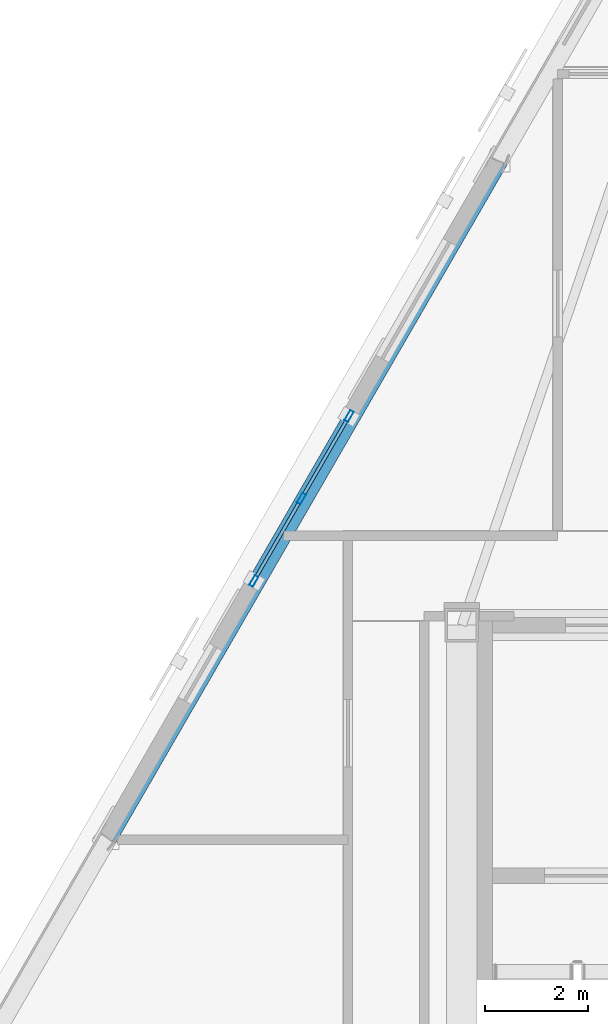
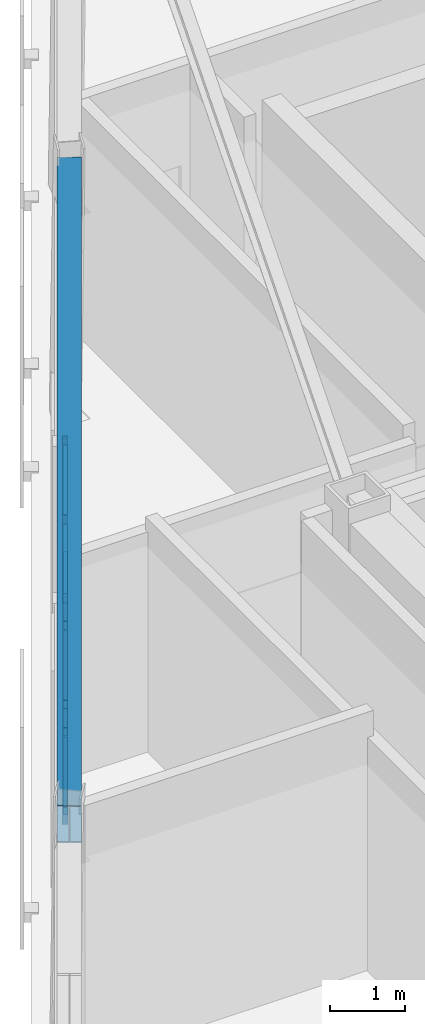
# One storey, part 4 of 14: 9 members, 1 beam, 1 element without a shape of its own.
"""IFC4 building model written with IfcOpenShell, lengths in metres."""

from ifc_helpers import new_model, si_unit, direction, frame, origin, origin_2d, place, context, subcontext, project, spatial, hollow_rectangle, i_section, extrude, material, layer, layer_set, material_profile, profile_set, type_object, element, aggregate, save


model = new_model("IFC4")

# Units and contexts
model_context = context("Model", 3, precision=1e-05, world=origin(), true_north=direction((0.0, 1.0)))
body_context = subcontext(model_context, "Body", "Model", "MODEL_VIEW")
ifc_project = project(units=[si_unit("LENGTHUNIT", "METRE"), si_unit("AREAUNIT", "SQUARE_METRE"), si_unit("VOLUMEUNIT", "CUBIC_METRE"), si_unit("PLANEANGLEUNIT", "RADIAN"), si_unit("MASSUNIT", "GRAM", prefix="KILO")], contexts=[model_context])

# Site, building, storey
site_placement = place(None, origin())
site = spatial("IfcSite", under=ifc_project, at=site_placement, CompositionType="ELEMENT")
building_placement = place(site_placement, origin())
building = spatial("IfcBuilding", under=site, at=building_placement, Name="Oramaril Tower", CompositionType="ELEMENT")
storey_placement = place(building_placement, frame((0.0, 0.0, 309.60009765625)))
storey = spatial("IfcBuildingStorey", under=building, at=storey_placement, Name="L81", CompositionType="ELEMENT", Elevation=309.60009765625)

# Beam
ifc_material_1 = material(Name="Steel ASTM A572 Gr 50", Category="steel")
ifc_material_profile_1 = material_profile(ifc_material_1, i_section(OverallWidth=0.324951171875, OverallDepth=0.612060546875, WebThickness=0.0126953125, FlangeThickness=0.01904296875, at=origin_2d()), Name="W24X104")
ifc_profile_set_1 = profile_set([ifc_material_profile_1], Name="Steel ASTM A572 Gr 50")
beam_type = type_object("IfcBeamType", Name="BT-SP5", PredefinedType="SPANDREL", material=ifc_profile_set_1)
beam_placement = place(storey_placement, frame((30.075927734375, 33.112548828125, 3.933837890625), z_axis=(-0.499999305434, -0.866025804792, 0.0), x_axis=(0.866025804792, -0.499999305434, 0.0)))
element("IfcBeam", 1, at=beam_placement, inside=storey, type_object=beam_type, Name="L81 Perimeter Spandrel 16", PredefinedType="SPANDREL", context=body_context, shape_type="SweptSolid", body=[
    extrude(i_section(OverallWidth=0.324951171875, OverallDepth=0.612060546875, WebThickness=0.0126953125, FlangeThickness=0.01904296875, at=origin_2d()), origin(), (0.0, 0.0, 1.0), 15.1142578125),
])

# Curtain wall, members
ifc_material_2 = material(Name="Anodised Aluminium 6063-T6", Category="aluminium")
ifc_layer = layer(ifc_material_2, 0.219970703125)
ifc_layer_set = layer_set([ifc_layer], Name="CWT-SYS6")
curtain_wall_type = type_object("IfcCurtainWallType", Name="CWT-SYS6", PredefinedType="NOTDEFINED", material=ifc_layer_set)
curtain_wall_placement = place(storey_placement, origin())
curtain_wall = element("IfcCurtainWall", 2, at=curtain_wall_placement, inside=storey, type_object=curtain_wall_type, Name="L81 Unitised Curtain Wall CW-6", PredefinedType="NOTDEFINED")
ifc_material_3 = material(Name="Anodised Aluminium 6063-T6", Category="aluminium")
ifc_material_profile_2 = material_profile(ifc_material_3, hollow_rectangle(XDim=0.080078125, YDim=0.219970703125, WallThickness=0.00390625, at=origin_2d()), Name="CWM220X80")
ifc_profile_set_2 = profile_set([ifc_material_profile_2], Name="Anodised Aluminium 6063-T6")
member_type_1 = type_object("IfcMemberType", Name="MT-CWM1", PredefinedType="MULLION", material=ifc_profile_set_2)
member_1_placement = place(storey_placement, frame((27.169677734375, 28.18896484375, 0.0), z_axis=(0.0, 0.0, 1.0), x_axis=(0.866025463091, -0.499999897278, 0.0)))
member_1 = element("IfcMember", 3, at=member_1_placement, type_object=member_type_1, Name="CW-6 mullion 1", PredefinedType="MULLION", context=body_context, shape_type="SweptSolid", body=[
    extrude(hollow_rectangle(XDim=0.080078125, YDim=0.219970703125, WallThickness=0.00390625, at=origin_2d()), origin(), (0.0, 0.0, 1.0), 3.617919921875),
])
member_2_placement = place(storey_placement, frame((26.249755859375, 26.595458984375, 0.0), z_axis=(0.0, 0.0, 1.0), x_axis=(0.866025463091, -0.499999897278, 0.0)))
member_2 = element("IfcMember", 4, at=member_2_placement, type_object=member_type_1, Name="CW-6 mullion 2", PredefinedType="MULLION", context=body_context, shape_type="SweptSolid", body=[
    extrude(hollow_rectangle(XDim=0.080078125, YDim=0.219970703125, WallThickness=0.00390625, at=origin_2d()), origin(), (0.0, 0.0, 1.0), 3.617919921875),
])
member_3_placement = place(storey_placement, frame((25.32958984375, 25.001953125, 0.0), z_axis=(0.0, 0.0, 1.0), x_axis=(0.866025463091, -0.499999897278, 0.0)))
member_3 = element("IfcMember", 5, at=member_3_placement, type_object=member_type_1, Name="CW-6 mullion 3", PredefinedType="MULLION", context=body_context, shape_type="SweptSolid", body=[
    extrude(hollow_rectangle(XDim=0.080078125, YDim=0.219970703125, WallThickness=0.00390625, at=origin_2d()), origin(), (0.0, 0.0, 1.0), 3.617919921875),
])
ifc_material_4 = material(Name="Anodised Aluminium 6063-T6", Category="aluminium")
ifc_material_profile_3 = material_profile(ifc_material_4, hollow_rectangle(XDim=0.06494140625, YDim=0.139892578125, WallThickness=0.00390625, at=origin_2d()), Name="CWT140X65")
ifc_profile_set_3 = profile_set([ifc_material_profile_3], Name="Anodised Aluminium 6063-T6")
member_type_2 = type_object("IfcMemberType", Name="MT-CWT2", PredefinedType="USERDEFINED", material=ifc_profile_set_3)
member_4_placement = place(storey_placement, frame((27.11474609375, 28.09375, 0.06982421875), z_axis=(-0.499996383721, -0.866027491634, 0.0), x_axis=(0.866027491634, -0.499996383721, 0.0)))
member_4 = element("IfcMember", 6, at=member_4_placement, type_object=member_type_2, Name="CW-6 transom 1.1", ObjectType="TRANSOM", PredefinedType="USERDEFINED", context=body_context, shape_type="SweptSolid", body=[
    extrude(hollow_rectangle(XDim=0.06494140625, YDim=0.139892578125, WallThickness=0.00390625, at=origin_2d()), origin(), (0.0, 0.0, 1.0), 1.6201171875),
])
member_5_placement = place(storey_placement, frame((27.11474609375, 28.09375, 1.808837890625), z_axis=(-0.499996383721, -0.866027491634, 0.0), x_axis=(0.866027491634, -0.499996383721, 0.0)))
member_5 = element("IfcMember", 7, at=member_5_placement, type_object=member_type_2, Name="CW-6 transom 1.2", ObjectType="TRANSOM", PredefinedType="USERDEFINED", context=body_context, shape_type="SweptSolid", body=[
    extrude(hollow_rectangle(XDim=0.06494140625, YDim=0.139892578125, WallThickness=0.00390625, at=origin_2d()), origin(), (0.0, 0.0, 1.0), 1.6201171875),
])
member_6_placement = place(storey_placement, frame((27.11474609375, 28.09375, 3.5478515625), z_axis=(-0.499996383721, -0.866027491634, 0.0), x_axis=(0.866027491634, -0.499996383721, 0.0)))
member_6 = element("IfcMember", 8, at=member_6_placement, type_object=member_type_2, Name="CW-6 transom 1.3", ObjectType="TRANSOM", PredefinedType="USERDEFINED", context=body_context, shape_type="SweptSolid", body=[
    extrude(hollow_rectangle(XDim=0.06494140625, YDim=0.139892578125, WallThickness=0.00390625, at=origin_2d()), origin(), (0.0, 0.0, 1.0), 1.6201171875),
])
member_7_placement = place(storey_placement, frame((26.194580078125, 26.500244140625, 0.06982421875), z_axis=(-0.499883351328, -0.866092740453, 0.0), x_axis=(0.866092740453, -0.499883351328, 0.0)))
member_7 = element("IfcMember", 9, at=member_7_placement, type_object=member_type_2, Name="CW-6 transom 2.1", ObjectType="TRANSOM", PredefinedType="USERDEFINED", context=body_context, shape_type="SweptSolid", body=[
    extrude(hollow_rectangle(XDim=0.06494140625, YDim=0.139892578125, WallThickness=0.00390625, at=origin_2d()), origin(), (0.0, 0.0, 1.0), 1.6201171875),
])
member_8_placement = place(storey_placement, frame((26.194580078125, 26.500244140625, 1.808837890625), z_axis=(-0.499883351328, -0.866092740453, 0.0), x_axis=(0.866092740453, -0.499883351328, 0.0)))
member_8 = element("IfcMember", 10, at=member_8_placement, type_object=member_type_2, Name="CW-6 transom 2.2", ObjectType="TRANSOM", PredefinedType="USERDEFINED", context=body_context, shape_type="SweptSolid", body=[
    extrude(hollow_rectangle(XDim=0.06494140625, YDim=0.139892578125, WallThickness=0.00390625, at=origin_2d()), origin(), (0.0, 0.0, 1.0), 1.6201171875),
])
member_9_placement = place(storey_placement, frame((26.194580078125, 26.500244140625, 3.5478515625), z_axis=(-0.499883351328, -0.866092740453, 0.0), x_axis=(0.866092740453, -0.499883351328, 0.0)))
member_9 = element("IfcMember", 11, at=member_9_placement, type_object=member_type_2, Name="CW-6 transom 2.3", ObjectType="TRANSOM", PredefinedType="USERDEFINED", context=body_context, shape_type="SweptSolid", body=[
    extrude(hollow_rectangle(XDim=0.06494140625, YDim=0.139892578125, WallThickness=0.00390625, at=origin_2d()), origin(), (0.0, 0.0, 1.0), 1.6201171875),
])
aggregate(curtain_wall, [member_1, member_2, member_3, member_4, member_5, member_6, member_7, member_8, member_9])

save(model, "model.ifc")
